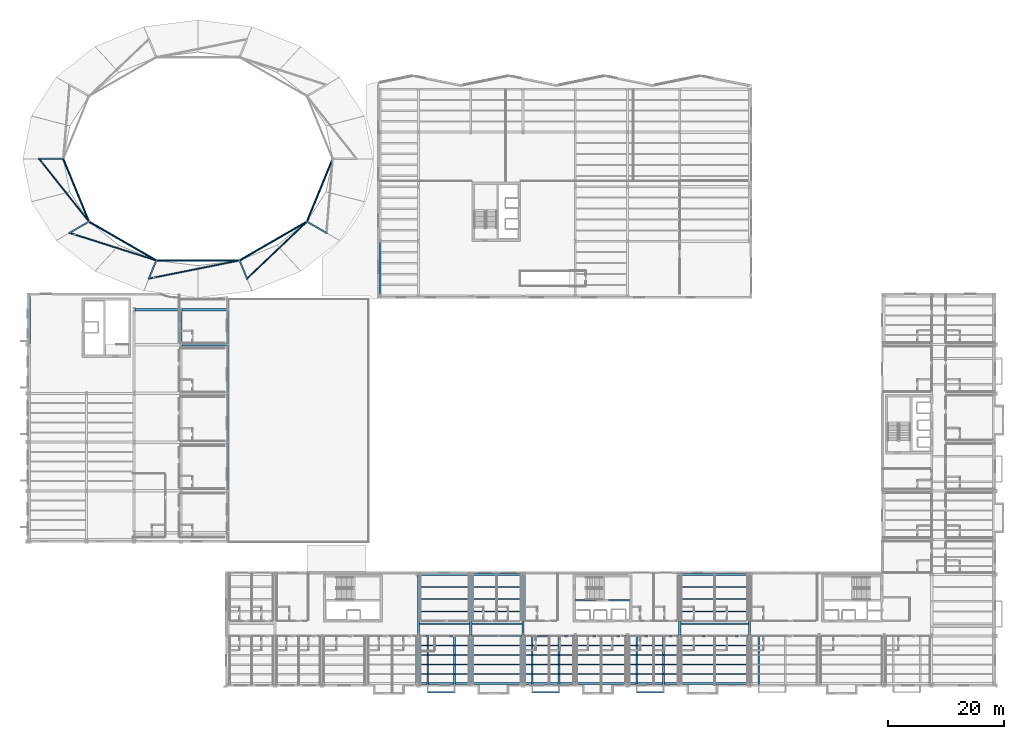
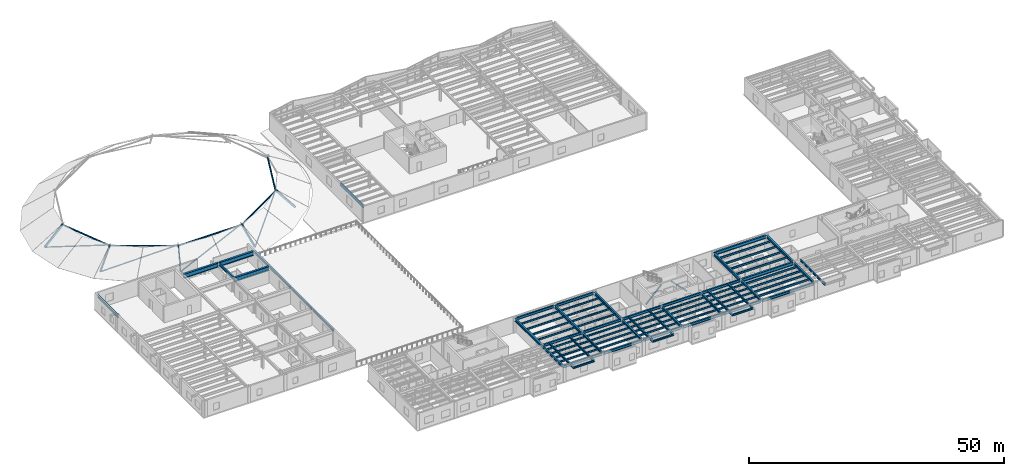
# One storey, part 14 of 59: 83 beams, 16 members.
"""IFC4 building model written with IfcOpenShell, lengths in metres."""

from ifc_helpers import new_model, si_unit, direction, frame, origin, origin_2d, place, context, subcontext, project, spatial, hollow_rectangle, hollow_circle, i_section, extrude, material, material_profile, profile_set, type_object, element, save


model = new_model("IFC4")

# Units and contexts
model_context = context("Model", 3, precision=1e-05, world=origin(), true_north=direction((0.0, 1.0)))
body_context = subcontext(model_context, "Body", "Model", "MODEL_VIEW")
ifc_project = project(units=[si_unit("LENGTHUNIT", "METRE"), si_unit("AREAUNIT", "SQUARE_METRE"), si_unit("VOLUMEUNIT", "CUBIC_METRE"), si_unit("PLANEANGLEUNIT", "RADIAN"), si_unit("MASSUNIT", "GRAM", prefix="KILO")], contexts=[model_context])

# Site, building, storey
site_placement = place(None, origin())
site = spatial("IfcSite", under=ifc_project, at=site_placement, CompositionType="ELEMENT")
building_placement = place(site_placement, origin())
building = spatial("IfcBuilding", under=site, at=building_placement, Name="Sollismere Congress Hotel", CompositionType="ELEMENT")
storey_placement = place(building_placement, frame((0.0, 0.0, 15.60009765625)))
storey = spatial("IfcBuildingStorey", under=building, at=storey_placement, Name="L03", CompositionType="ELEMENT", Elevation=15.60009765625)

# Beams
ifc_material_1 = material(Name="Steel ASTM A992 Grade 50", Category="steel")
ifc_material_profile_1 = material_profile(ifc_material_1, i_section(OverallWidth=0.281982421875, OverallDepth=0.471923828125, WebThickness=0.013671875, FlangeThickness=0.022216796875, at=origin_2d()), Name="W18X97")
ifc_profile_set_1 = profile_set([ifc_material_profile_1], Name="Steel ASTM A992 Grade 50")
beam_type_1 = type_object("IfcBeamType", Name="BM-CK18E", PredefinedType="BEAM", material=ifc_profile_set_1)
for number, where, z_axis, x_axis, name in (
    (1, (68.60009765625, 8.199951171875, 3.388916015625), (0.0, -1.0, 0.0), (1.0, 0.0, 0.0), "Beam BM-L03-3900"),
    (2, (73.199951171875, 8.199951171875, 3.388916015625), (0.0, -1.0, 0.0), (1.0, 0.0, 0.0), "Beam BM-L03-3901"),
    (3, (86.60009765625, 8.199951171875, 3.388916015625), (0.0, -1.0, 0.0), (1.0, 0.0, 0.0), "Beam BM-L03-3903"),
    (4, (91.199951171875, 8.199951171875, 3.388916015625), (0.0, -1.0, 0.0), (1.0, 0.0, 0.0), "Beam BM-L03-3904"),
    (5, (104.60009765625, 8.199951171875, 3.388916015625), (0.0, -1.0, 0.0), (1.0, 0.0, 0.0), "Beam BM-L03-3906"),
    (6, (109.199951171875, 8.199951171875, 3.388916015625), (0.0, -1.0, 0.0), (1.0, 0.0, 0.0), "Beam BM-L03-3907"),
    (7, (125.60009765625, 8.199951171875, 3.388916015625), (0.0, -1.0, 0.0), (1.0, 0.0, 0.0), "Beam BM-L03-3909"),
):
    element("IfcBeam", number, at=place(storey_placement, frame(where, z_axis=z_axis, x_axis=x_axis)), inside=storey, type_object=beam_type_1, Name=name, PredefinedType="BEAM", context=body_context, shape_type="SweptSolid", body=[
        extrude(i_section(OverallWidth=0.281982421875, OverallDepth=0.471923828125, WebThickness=0.013671875, FlangeThickness=0.022216796875, at=origin_2d()), origin(), (0.0, 0.0, 1.0), 9.68994140625),
    ])
ifc_material_profile_2 = material_profile(ifc_material_1, i_section(OverallWidth=0.31494140625, OverallDepth=0.551025390625, WebThickness=0.01513671875, FlangeThickness=0.0244140625, at=origin_2d()), Name="W21X122")
ifc_profile_set_2 = profile_set([ifc_material_profile_2], Name="Steel ASTM A992 Grade 50")
beam_type_2 = type_object("IfcBeamType", Name="BM-G21H", PredefinedType="BEAM", material=ifc_profile_set_2)
beam_1_placement = place(storey_placement, frame((60.39990234375, 66.93994140625, 3.349365234375), z_axis=(0.0, 1.0, 0.0), x_axis=(-1.0, 0.0, 0.0)))
element("IfcBeam", 8, at=beam_1_placement, inside=storey, type_object=beam_type_2, Name="Beam BM-L03-2423", PredefinedType="BEAM", context=body_context, shape_type="SweptSolid", body=[
    extrude(i_section(OverallWidth=0.31494140625, OverallDepth=0.551025390625, WebThickness=0.01513671875, FlangeThickness=0.0244140625, at=origin_2d()), origin(), (0.0, 0.0, 1.0), 9.1201171875),
])
for number, where, z_axis, x_axis, name in (
    (9, (67.0, 0.139892578125, 3.349365234375), (0.0, 1.0, 0.0), (-1.0, 0.0, 0.0), "Beam BM-L03-2427"),
    (10, (76.0, 0.139892578125, 3.349365234375), (0.0, 1.0, 0.0), (-1.0, 0.0, 0.0), "Beam BM-L03-2433"),
    (11, (85.0, 0.139892578125, 3.349365234375), (0.0, 1.0, 0.0), (-1.0, 0.0, 0.0), "Beam BM-L03-2436"),
    (12, (94.0, 0.139892578125, 3.349365234375), (0.0, 1.0, 0.0), (-1.0, 0.0, 0.0), "Beam BM-L03-2439"),
    (13, (103.0, 0.139892578125, 3.349365234375), (0.0, 1.0, 0.0), (-1.0, 0.0, 0.0), "Beam BM-L03-2444"),
    (14, (112.0, 0.139892578125, 3.349365234375), (0.0, 1.0, 0.0), (-1.0, 0.0, 0.0), "Beam BM-L03-2449"),
    (15, (124.0, 0.139892578125, 3.349365234375), (0.0, 1.0, 0.0), (-1.0, 0.0, 0.0), "Beam BM-L03-2454"),
):
    element("IfcBeam", number, at=place(storey_placement, frame(where, z_axis=z_axis, x_axis=x_axis)), inside=storey, type_object=beam_type_2, Name=name, PredefinedType="BEAM", context=body_context, shape_type="SweptSolid", body=[
        extrude(i_section(OverallWidth=0.31494140625, OverallDepth=0.551025390625, WebThickness=0.01513671875, FlangeThickness=0.0244140625, at=origin_2d()), origin(), (0.0, 0.0, 1.0), 7.920166015625),
    ])
beam_2_placement = place(storey_placement, frame((26.10009765625, 58.52001953125, 3.349365234375), z_axis=(0.0, 1.0, 0.0), x_axis=(-1.0, 0.0, 0.0)))
element("IfcBeam", 16, at=beam_2_placement, inside=storey, type_object=beam_type_2, Name="Beam BM-L03-4160", PredefinedType="BEAM", context=body_context, shape_type="SweptSolid", body=[
    extrude(i_section(OverallWidth=0.31494140625, OverallDepth=0.551025390625, WebThickness=0.01513671875, FlangeThickness=0.0244140625, at=origin_2d()), origin(), (0.0, 0.0, 1.0), 5.760009765625),
])
for number, where, z_axis, x_axis, name in (
    (17, (34.199951171875, 33.320068359375, 3.349365234375), (0.0, 1.0, 0.0), (-1.0, 0.0, 0.0), "Beam BM-L03-4162"),
    (18, (34.199951171875, 41.719970703125, 3.349365234375), (0.0, 1.0, 0.0), (-1.0, 0.0, 0.0), "Beam BM-L03-4163"),
    (19, (34.199951171875, 50.1201171875, 3.349365234375), (0.0, 1.0, 0.0), (-1.0, 0.0, 0.0), "Beam BM-L03-4164"),
):
    element("IfcBeam", number, at=place(storey_placement, frame(where, z_axis=z_axis, x_axis=x_axis)), inside=storey, type_object=beam_type_2, Name=name, PredefinedType="BEAM", context=body_context, shape_type="SweptSolid", body=[
        extrude(i_section(OverallWidth=0.31494140625, OverallDepth=0.551025390625, WebThickness=0.01513671875, FlangeThickness=0.0244140625, at=origin_2d()), origin(), (0.0, 0.0, 1.0), 8.159912109375),
    ])
beam_3_placement = place(storey_placement, frame((34.199951171875, 58.52001953125, 3.349365234375), z_axis=(0.0, 1.0, 0.0), x_axis=(-1.0, 0.0, 0.0)))
element("IfcBeam", 20, at=beam_3_placement, inside=storey, type_object=beam_type_2, Name="Beam BM-L03-4165", PredefinedType="BEAM", context=body_context, shape_type="SweptSolid", body=[
    extrude(i_section(OverallWidth=0.31494140625, OverallDepth=0.551025390625, WebThickness=0.01513671875, FlangeThickness=0.0244140625, at=origin_2d()), origin(), (0.0, 0.0, 1.0), 5.760009765625),
])
ifc_material_profile_3 = material_profile(ifc_material_1, i_section(OverallWidth=0.324951171875, OverallDepth=0.612060546875, WebThickness=0.0126953125, FlangeThickness=0.01904296875, at=origin_2d()), Name="W24X104")
ifc_profile_set_3 = profile_set([ifc_material_profile_3], Name="Steel ASTM A992 Grade 50")
beam_type_3 = type_object("IfcBeamType", Name="BM-G24", PredefinedType="BEAM", material=ifc_profile_set_3)
for number, where, z_axis, x_axis, name in (
    (21, (67.139892578125, 8.199951171875, 3.31884765625), (1.0, 0.0, 0.0), (0.0, 1.0, 0.0), "Beam BM-L03-2347"),
    (22, (76.139892578125, 8.199951171875, 3.31884765625), (1.0, 0.0, 0.0), (0.0, 1.0, 0.0), "Beam BM-L03-2348"),
    (23, (85.139892578125, 8.199951171875, 3.31884765625), (1.0, 0.0, 0.0), (0.0, 1.0, 0.0), "Beam BM-L03-2349"),
    (24, (94.139892578125, 8.199951171875, 3.31884765625), (1.0, 0.0, 0.0), (0.0, 1.0, 0.0), "Beam BM-L03-2350"),
    (25, (103.139892578125, 8.199951171875, 3.31884765625), (1.0, 0.0, 0.0), (0.0, 1.0, 0.0), "Beam BM-L03-2351"),
    (26, (67.139892578125, 18.800048828125, 3.31884765625), (1.0, 0.0, 0.0), (0.0, 1.0, 0.0), "Beam BM-L03-2358"),
    (27, (76.139892578125, 18.800048828125, 3.31884765625), (1.0, 0.0, 0.0), (0.0, 1.0, 0.0), "Beam BM-L03-2359"),
):
    element("IfcBeam", number, at=place(storey_placement, frame(where, z_axis=z_axis, x_axis=x_axis)), inside=storey, type_object=beam_type_3, Name=name, PredefinedType="BEAM", context=body_context, shape_type="SweptSolid", body=[
        extrude(i_section(OverallWidth=0.324951171875, OverallDepth=0.612060546875, WebThickness=0.0126953125, FlangeThickness=0.01904296875, at=origin_2d()), origin(), (0.0, 0.0, 1.0), 8.72021484375),
    ])
ifc_material_profile_4 = material_profile(ifc_material_1, i_section(OverallWidth=0.35595703125, OverallDepth=0.696044921875, WebThickness=0.015380859375, FlangeThickness=0.025146484375, at=origin_2d()), Name="W27X146")
ifc_profile_set_4 = profile_set([ifc_material_profile_4], Name="Steel ASTM A992 Grade 50")
beam_type_4 = type_object("IfcBeamType", Name="BM-G27", PredefinedType="BEAM", material=ifc_profile_set_4)
for number, where, z_axis, x_axis, name in (
    (28, (67.0, 8.340087890625, 3.27685546875), (0.0, 1.0, 0.0), (-1.0, 0.0, 0.0), "Beam BM-L03-2428"),
    (29, (76.0, 8.340087890625, 3.27685546875), (0.0, 1.0, 0.0), (-1.0, 0.0, 0.0), "Beam BM-L03-2434"),
    (30, (85.0, 8.340087890625, 3.27685546875), (0.0, 1.0, 0.0), (-1.0, 0.0, 0.0), "Beam BM-L03-2437"),
    (31, (112.0, 8.340087890625, 3.27685546875), (0.0, 1.0, 0.0), (-1.0, 0.0, 0.0), "Beam BM-L03-2450"),
    (32, (124.0, 8.340087890625, 3.27685546875), (0.0, 1.0, 0.0), (-1.0, 0.0, 0.0), "Beam BM-L03-2455"),
):
    element("IfcBeam", number, at=place(storey_placement, frame(where, z_axis=z_axis, x_axis=x_axis)), inside=storey, type_object=beam_type_4, Name=name, PredefinedType="BEAM", context=body_context, shape_type="SweptSolid", body=[
        extrude(i_section(OverallWidth=0.35595703125, OverallDepth=0.696044921875, WebThickness=0.015380859375, FlangeThickness=0.025146484375, at=origin_2d()), origin(), (0.0, 0.0, 1.0), 10.31982421875),
    ])
ifc_material_profile_5 = material_profile(ifc_material_1, i_section(OverallWidth=0.384033203125, OverallDepth=0.787109375, WebThickness=0.019775390625, FlangeThickness=0.033447265625, at=origin_2d()), Name="W30X211")
ifc_profile_set_5 = profile_set([ifc_material_profile_5], Name="Steel ASTM A992 Grade 50")
beam_type_5 = type_object("IfcBeamType", Name="BM-G30", PredefinedType="BEAM", material=ifc_profile_set_5)
for number, where, z_axis, x_axis, name in (
    (33, (112.139892578125, 8.199951171875, 3.2314453125), (1.0, 0.0, 0.0), (0.0, 1.0, 0.0), "Beam BM-L03-2352"),
    (34, (112.139892578125, 18.800048828125, 3.2314453125), (1.0, 0.0, 0.0), (0.0, 1.0, 0.0), "Beam BM-L03-2360"),
):
    element("IfcBeam", number, at=place(storey_placement, frame(where, z_axis=z_axis, x_axis=x_axis)), inside=storey, type_object=beam_type_5, Name=name, PredefinedType="BEAM", context=body_context, shape_type="SweptSolid", body=[
        extrude(i_section(OverallWidth=0.384033203125, OverallDepth=0.787109375, WebThickness=0.019775390625, FlangeThickness=0.033447265625, at=origin_2d()), origin(), (0.0, 0.0, 1.0), 11.72021484375),
    ])
ifc_material_profile_6 = material_profile(ifc_material_1, i_section(OverallWidth=0.180908203125, OverallDepth=0.4169921875, WebThickness=0.010986328125, FlangeThickness=0.018310546875, at=origin_2d()), Name="W16X57")
ifc_profile_set_6 = profile_set([ifc_material_profile_6], Name="Steel ASTM A992 Grade 50")
beam_type_6 = type_object("IfcBeamType", Name="BM-J16", PredefinedType="JOIST", material=ifc_profile_set_6)
for number, where, z_axis, x_axis, name in (
    (35, (67.157470703125, 1.639892578125, 3.41650390625), (1.0, 0.0, 0.0), (0.0, 1.0, 0.0), "Beam BM-L03-2531"),
    (36, (67.157470703125, 3.280029296875, 3.41650390625), (1.0, 0.0, 0.0), (0.0, 1.0, 0.0), "Beam BM-L03-2532"),
    (37, (67.157470703125, 4.919921875, 3.41650390625), (1.0, 0.0, 0.0), (0.0, 1.0, 0.0), "Beam BM-L03-2533"),
    (38, (67.157470703125, 6.56005859375, 3.41650390625), (1.0, 0.0, 0.0), (0.0, 1.0, 0.0), "Beam BM-L03-2534"),
):
    element("IfcBeam", number, at=place(storey_placement, frame(where, z_axis=z_axis, x_axis=x_axis)), inside=storey, type_object=beam_type_6, Name=name, PredefinedType="JOIST", context=body_context, shape_type="SweptSolid", body=[
        extrude(i_section(OverallWidth=0.180908203125, OverallDepth=0.4169921875, WebThickness=0.010986328125, FlangeThickness=0.018310546875, at=origin_2d()), origin(), (0.0, 0.0, 1.0), 8.68505859375),
    ])
for number, where, z_axis, x_axis, name in (
    (39, (67.177978515625, 10.320068359375, 3.41650390625), (1.0, 0.0, 0.0), (0.0, 1.0, 0.0), "Beam BM-L03-2535"),
    (40, (67.177978515625, 12.43994140625, 3.41650390625), (1.0, 0.0, 0.0), (0.0, 1.0, 0.0), "Beam BM-L03-2536"),
    (41, (67.177978515625, 14.56005859375, 3.41650390625), (1.0, 0.0, 0.0), (0.0, 1.0, 0.0), "Beam BM-L03-2537"),
    (42, (67.177978515625, 16.679931640625, 3.41650390625), (1.0, 0.0, 0.0), (0.0, 1.0, 0.0), "Beam BM-L03-2538"),
):
    element("IfcBeam", number, at=place(storey_placement, frame(where, z_axis=z_axis, x_axis=x_axis)), inside=storey, type_object=beam_type_6, Name=name, PredefinedType="JOIST", context=body_context, shape_type="SweptSolid", body=[
        extrude(i_section(OverallWidth=0.180908203125, OverallDepth=0.4169921875, WebThickness=0.010986328125, FlangeThickness=0.018310546875, at=origin_2d()), origin(), (0.0, 0.0, 1.0), 8.64404296875),
    ])
for number, where, z_axis, x_axis, name in (
    (43, (76.157470703125, 1.639892578125, 3.41650390625), (1.0, 0.0, 0.0), (0.0, 1.0, 0.0), "Beam BM-L03-2542"),
    (44, (76.157470703125, 3.280029296875, 3.41650390625), (1.0, 0.0, 0.0), (0.0, 1.0, 0.0), "Beam BM-L03-2543"),
    (45, (76.157470703125, 4.919921875, 3.41650390625), (1.0, 0.0, 0.0), (0.0, 1.0, 0.0), "Beam BM-L03-2544"),
    (46, (76.157470703125, 6.56005859375, 3.41650390625), (1.0, 0.0, 0.0), (0.0, 1.0, 0.0), "Beam BM-L03-2545"),
):
    element("IfcBeam", number, at=place(storey_placement, frame(where, z_axis=z_axis, x_axis=x_axis)), inside=storey, type_object=beam_type_6, Name=name, PredefinedType="JOIST", context=body_context, shape_type="SweptSolid", body=[
        extrude(i_section(OverallWidth=0.180908203125, OverallDepth=0.4169921875, WebThickness=0.010986328125, FlangeThickness=0.018310546875, at=origin_2d()), origin(), (0.0, 0.0, 1.0), 8.68505859375),
    ])
for number, where, z_axis, x_axis, name in (
    (47, (76.177978515625, 10.320068359375, 3.41650390625), (1.0, 0.0, 0.0), (0.0, 1.0, 0.0), "Beam BM-L03-2546"),
    (48, (76.177978515625, 12.43994140625, 3.41650390625), (1.0, 0.0, 0.0), (0.0, 1.0, 0.0), "Beam BM-L03-2547"),
    (49, (76.177978515625, 14.56005859375, 3.41650390625), (1.0, 0.0, 0.0), (0.0, 1.0, 0.0), "Beam BM-L03-2548"),
    (50, (76.177978515625, 16.679931640625, 3.41650390625), (1.0, 0.0, 0.0), (0.0, 1.0, 0.0), "Beam BM-L03-2549"),
):
    element("IfcBeam", number, at=place(storey_placement, frame(where, z_axis=z_axis, x_axis=x_axis)), inside=storey, type_object=beam_type_6, Name=name, PredefinedType="JOIST", context=body_context, shape_type="SweptSolid", body=[
        extrude(i_section(OverallWidth=0.180908203125, OverallDepth=0.4169921875, WebThickness=0.010986328125, FlangeThickness=0.018310546875, at=origin_2d()), origin(), (0.0, 0.0, 1.0), 8.64404296875),
    ])
for number, where, z_axis, x_axis, name in (
    (51, (85.157470703125, 1.639892578125, 3.41650390625), (1.0, 0.0, 0.0), (0.0, 1.0, 0.0), "Beam BM-L03-2553"),
    (52, (85.157470703125, 3.280029296875, 3.41650390625), (1.0, 0.0, 0.0), (0.0, 1.0, 0.0), "Beam BM-L03-2554"),
    (53, (85.157470703125, 4.919921875, 3.41650390625), (1.0, 0.0, 0.0), (0.0, 1.0, 0.0), "Beam BM-L03-2555"),
    (54, (85.157470703125, 6.56005859375, 3.41650390625), (1.0, 0.0, 0.0), (0.0, 1.0, 0.0), "Beam BM-L03-2556"),
    (55, (94.157470703125, 1.639892578125, 3.41650390625), (1.0, 0.0, 0.0), (0.0, 1.0, 0.0), "Beam BM-L03-2560"),
    (56, (94.157470703125, 3.280029296875, 3.41650390625), (1.0, 0.0, 0.0), (0.0, 1.0, 0.0), "Beam BM-L03-2561"),
    (57, (94.157470703125, 4.919921875, 3.41650390625), (1.0, 0.0, 0.0), (0.0, 1.0, 0.0), "Beam BM-L03-2562"),
    (58, (94.157470703125, 6.56005859375, 3.41650390625), (1.0, 0.0, 0.0), (0.0, 1.0, 0.0), "Beam BM-L03-2563"),
    (59, (103.157470703125, 1.639892578125, 3.41650390625), (1.0, 0.0, 0.0), (0.0, 1.0, 0.0), "Beam BM-L03-2579"),
    (60, (103.157470703125, 3.280029296875, 3.41650390625), (1.0, 0.0, 0.0), (0.0, 1.0, 0.0), "Beam BM-L03-2580"),
    (61, (103.157470703125, 4.919921875, 3.41650390625), (1.0, 0.0, 0.0), (0.0, 1.0, 0.0), "Beam BM-L03-2581"),
    (62, (103.157470703125, 6.56005859375, 3.41650390625), (1.0, 0.0, 0.0), (0.0, 1.0, 0.0), "Beam BM-L03-2582"),
):
    element("IfcBeam", number, at=place(storey_placement, frame(where, z_axis=z_axis, x_axis=x_axis)), inside=storey, type_object=beam_type_6, Name=name, PredefinedType="JOIST", context=body_context, shape_type="SweptSolid", body=[
        extrude(i_section(OverallWidth=0.180908203125, OverallDepth=0.4169921875, WebThickness=0.010986328125, FlangeThickness=0.018310546875, at=origin_2d()), origin(), (0.0, 0.0, 1.0), 8.68505859375),
    ])
ifc_material_profile_7 = material_profile(ifc_material_1, i_section(OverallWidth=0.193115234375, OverallDepth=0.467041015625, WebThickness=0.011474609375, FlangeThickness=0.01904296875, at=origin_2d()), Name="W18X65")
ifc_profile_set_7 = profile_set([ifc_material_profile_7], Name="Steel ASTM A992 Grade 50")
beam_type_7 = type_object("IfcBeamType", Name="BM-J18", PredefinedType="JOIST", material=ifc_profile_set_7)
for number, where, z_axis, x_axis, name in (
    (63, (112.157470703125, 1.639892578125, 3.391357421875), (1.0, 0.0, 0.0), (0.0, 1.0, 0.0), "Beam BM-L03-2594"),
    (64, (112.157470703125, 3.280029296875, 3.391357421875), (1.0, 0.0, 0.0), (0.0, 1.0, 0.0), "Beam BM-L03-2595"),
    (65, (112.157470703125, 4.919921875, 3.391357421875), (1.0, 0.0, 0.0), (0.0, 1.0, 0.0), "Beam BM-L03-2596"),
    (66, (112.157470703125, 6.56005859375, 3.391357421875), (1.0, 0.0, 0.0), (0.0, 1.0, 0.0), "Beam BM-L03-2597"),
):
    element("IfcBeam", number, at=place(storey_placement, frame(where, z_axis=z_axis, x_axis=x_axis)), inside=storey, type_object=beam_type_7, Name=name, PredefinedType="JOIST", context=body_context, shape_type="SweptSolid", body=[
        extrude(i_section(OverallWidth=0.193115234375, OverallDepth=0.467041015625, WebThickness=0.011474609375, FlangeThickness=0.01904296875, at=origin_2d()), origin(), (0.0, 0.0, 1.0), 11.68505859375),
    ])
for number, where, z_axis, x_axis, name in (
    (67, (112.177978515625, 10.320068359375, 3.391357421875), (1.0, 0.0, 0.0), (0.0, 1.0, 0.0), "Beam BM-L03-2598"),
    (68, (112.177978515625, 12.43994140625, 3.391357421875), (1.0, 0.0, 0.0), (0.0, 1.0, 0.0), "Beam BM-L03-2599"),
    (69, (112.177978515625, 14.56005859375, 3.391357421875), (1.0, 0.0, 0.0), (0.0, 1.0, 0.0), "Beam BM-L03-2600"),
    (70, (112.177978515625, 16.679931640625, 3.391357421875), (1.0, 0.0, 0.0), (0.0, 1.0, 0.0), "Beam BM-L03-2601"),
):
    element("IfcBeam", number, at=place(storey_placement, frame(where, z_axis=z_axis, x_axis=x_axis)), inside=storey, type_object=beam_type_7, Name=name, PredefinedType="JOIST", context=body_context, shape_type="SweptSolid", body=[
        extrude(i_section(OverallWidth=0.193115234375, OverallDepth=0.467041015625, WebThickness=0.011474609375, FlangeThickness=0.01904296875, at=origin_2d()), origin(), (0.0, 0.0, 1.0), 11.64404296875),
    ])
ifc_material_profile_8 = material_profile(ifc_material_1, i_section(OverallWidth=0.261962890625, OverallDepth=0.4189453125, WebThickness=0.01171875, FlangeThickness=0.019287109375, at=origin_2d()), Name="W16X77")
ifc_profile_set_8 = profile_set([ifc_material_profile_8], Name="Steel ASTM A992 Grade 50")
beam_type_8 = type_object("IfcBeamType", Name="BM-LN16E", PredefinedType="LINTEL", material=ifc_profile_set_8)
for number, where, z_axis, x_axis, name in (
    (71, (68.60009765625, -1.489990234375, 3.415283203125), (1.0, 0.0, 0.0), (0.0, 1.0, 0.0), "Beam BM-L03-3902"),
    (72, (86.60009765625, -1.489990234375, 3.415283203125), (1.0, 0.0, 0.0), (0.0, 1.0, 0.0), "Beam BM-L03-3905"),
    (73, (104.60009765625, -1.489990234375, 3.415283203125), (1.0, 0.0, 0.0), (0.0, 1.0, 0.0), "Beam BM-L03-3908"),
):
    element("IfcBeam", number, at=place(storey_placement, frame(where, z_axis=z_axis, x_axis=x_axis)), inside=storey, type_object=beam_type_8, Name=name, PredefinedType="LINTEL", context=body_context, shape_type="SweptSolid", body=[
        extrude(i_section(OverallWidth=0.261962890625, OverallDepth=0.4189453125, WebThickness=0.01171875, FlangeThickness=0.019287109375, at=origin_2d()), origin(), (0.0, 0.0, 1.0), 4.599853515625),
    ])
ifc_material_profile_9 = material_profile(ifc_material_1, i_section(OverallWidth=0.330078125, OverallDepth=0.635009765625, WebThickness=0.017822265625, FlangeThickness=0.031005859375, at=origin_2d()), Name="W24X162")
ifc_profile_set_9 = profile_set([ifc_material_profile_9], Name="Steel ASTM A992 Grade 50")
beam_type_9 = type_object("IfcBeamType", Name="BM-SP24E", PredefinedType="SPANDREL", material=ifc_profile_set_9)
for number, where, z_axis, x_axis, name in (
    (74, (67.139892578125, 0.0, 3.307373046875), (1.0, 0.0, 0.0), (0.0, 1.0, 0.0), "Beam BM-L03-2333"),
    (75, (76.139892578125, 0.0, 3.307373046875), (1.0, 0.0, 0.0), (0.0, 1.0, 0.0), "Beam BM-L03-2334"),
    (76, (85.139892578125, 0.0, 3.307373046875), (1.0, 0.0, 0.0), (0.0, 1.0, 0.0), "Beam BM-L03-2335"),
    (77, (94.139892578125, 0.0, 3.307373046875), (1.0, 0.0, 0.0), (0.0, 1.0, 0.0), "Beam BM-L03-2336"),
    (78, (103.139892578125, 0.0, 3.307373046875), (1.0, 0.0, 0.0), (0.0, 1.0, 0.0), "Beam BM-L03-2337"),
):
    element("IfcBeam", number, at=place(storey_placement, frame(where, z_axis=z_axis, x_axis=x_axis)), inside=storey, type_object=beam_type_9, Name=name, PredefinedType="SPANDREL", context=body_context, shape_type="SweptSolid", body=[
        extrude(i_section(OverallWidth=0.330078125, OverallDepth=0.635009765625, WebThickness=0.017822265625, FlangeThickness=0.031005859375, at=origin_2d()), origin(), (0.0, 0.0, 1.0), 8.72021484375),
    ])
beam_4_placement = place(storey_placement, frame((112.139892578125, 0.0, 3.307373046875), z_axis=(1.0, 0.0, 0.0), x_axis=(0.0, 1.0, 0.0)))
element("IfcBeam", 79, at=beam_4_placement, inside=storey, type_object=beam_type_9, Name="Beam BM-L03-2338", PredefinedType="SPANDREL", context=body_context, shape_type="SweptSolid", body=[
    extrude(i_section(OverallWidth=0.330078125, OverallDepth=0.635009765625, WebThickness=0.017822265625, FlangeThickness=0.031005859375, at=origin_2d()), origin(), (0.0, 0.0, 1.0), 11.72021484375),
])
beam_5_placement = place(storey_placement, frame((0.0, 58.5400390625, 3.307373046875), z_axis=(0.0, 1.0, 0.0), x_axis=(-1.0, 0.0, 0.0)))
element("IfcBeam", 80, at=beam_5_placement, inside=storey, type_object=beam_type_9, Name="Beam BM-L03-2409", PredefinedType="SPANDREL", context=body_context, shape_type="SweptSolid", body=[
    extrude(i_section(OverallWidth=0.330078125, OverallDepth=0.635009765625, WebThickness=0.017822265625, FlangeThickness=0.031005859375, at=origin_2d()), origin(), (0.0, 0.0, 1.0), 8.119873046875),
])
ifc_material_profile_10 = material_profile(ifc_material_1, i_section(OverallWidth=0.427001953125, OverallDepth=1.041015625, WebThickness=0.031005859375, FlangeThickness=0.055908203125, at=origin_2d()), Name="W40X397")
ifc_profile_set_10 = profile_set([ifc_material_profile_10], Name="Steel ASTM A992 Grade 50")
beam_type_10 = type_object("IfcBeamType", Name="BM-TG40", PredefinedType="BEAM", material=ifc_profile_set_10)
beam_6_placement = place(storey_placement, frame((26.219970703125, 58.39990234375, 3.1044921875), z_axis=(1.0, 0.0, 0.0), x_axis=(0.0, 1.0, 0.0)))
element("IfcBeam", 81, at=beam_6_placement, inside=storey, type_object=beam_type_10, Name="Transfer truss chord BM-L03-4153", PredefinedType="BEAM", context=body_context, shape_type="SweptSolid", body=[
    extrude(i_section(OverallWidth=0.427001953125, OverallDepth=1.041015625, WebThickness=0.031005859375, FlangeThickness=0.055908203125, at=origin_2d()), origin(), (0.0, 0.0, 1.0), 7.860107421875),
])
beam_7_placement = place(storey_placement, frame((18.1201171875, 64.39990234375, 3.1044921875), z_axis=(1.0, 0.0, 0.0), x_axis=(0.0, 1.0, 0.0)))
element("IfcBeam", 82, at=beam_7_placement, inside=storey, type_object=beam_type_10, Name="Transfer truss chord BM-L03-4154", PredefinedType="BEAM", context=body_context, shape_type="SweptSolid", body=[
    extrude(i_section(OverallWidth=0.427001953125, OverallDepth=1.041015625, WebThickness=0.031005859375, FlangeThickness=0.055908203125, at=origin_2d()), origin(), (0.0, 0.0, 1.0), 7.85986328125),
])
beam_8_placement = place(storey_placement, frame((26.219970703125, 64.39990234375, 3.1044921875), z_axis=(1.0, 0.0, 0.0), x_axis=(0.0, 1.0, 0.0)))
element("IfcBeam", 83, at=beam_8_placement, inside=storey, type_object=beam_type_10, Name="Transfer truss chord BM-L03-4155", PredefinedType="BEAM", context=body_context, shape_type="SweptSolid", body=[
    extrude(i_section(OverallWidth=0.427001953125, OverallDepth=1.041015625, WebThickness=0.031005859375, FlangeThickness=0.055908203125, at=origin_2d()), origin(), (0.0, 0.0, 1.0), 7.860107421875),
])

# Members
ifc_material_2 = material(Name="Steel ASTM A500 Grade C", Category="steel")
ifc_material_profile_11 = material_profile(ifc_material_2, hollow_rectangle(XDim=0.25, YDim=0.449951171875, WallThickness=0.01611328125, at=origin_2d()), Name="HSS450X250X16")
ifc_profile_set_11 = profile_set([ifc_material_profile_11], Name="Steel ASTM A500 Grade C")
member_type_1 = type_object("IfcMemberType", Name="MB-AR450", PredefinedType="COLLAR", material=ifc_profile_set_11)
member_1_placement = place(storey_placement, frame((1.638916015625, 90.39990234375, 0.005859375), z_axis=(0.711128730014, 0.0, 0.703061824699), x_axis=(0.0, 1.0, 0.0)))
element("IfcMember", 84, at=member_1_placement, inside=storey, type_object=member_type_1, Name="DR-061 arch rib", PredefinedType="COLLAR", context=body_context, shape_type="SweptSolid", body=[
    extrude(hollow_rectangle(XDim=0.25, YDim=0.449951171875, WallThickness=0.01611328125, at=origin_2d()), origin(), (0.0, 0.0, 1.0), 5.901611328125),
])
member_2_placement = place(storey_placement, frame((6.864013671875, 77.644775390625, 0.00537109375), z_axis=(0.594905948832, 0.342780770978, 0.727040752016), x_axis=(-0.499247906038, 0.86645919022, 0.0)))
element("IfcMember", 85, at=member_2_placement, inside=storey, type_object=member_type_1, Name="DR-071 arch rib", PredefinedType="COLLAR", context=body_context, shape_type="SweptSolid", body=[
    extrude(hollow_rectangle(XDim=0.25, YDim=0.449951171875, WallThickness=0.01611328125, at=origin_2d()), origin(), (0.0, 0.0, 1.0), 5.709228515625),
])
for number, where, z_axis, x_axis, name in (
    (86, (20.54443359375, 69.7607421875, 0.00439453125), (0.241198236619, 0.588643412211, 0.77157134726), (-0.925332199791, 0.379157381611, 0.0), "DR-081 arch rib"),
    (87, (37.45556640625, 69.7607421875, 0.00439453125), (-0.241198236619, 0.588643412211, 0.77157134726), (-0.925332199791, -0.379157381611, 0.0), "DR-091 arch rib"),
):
    element("IfcMember", number, at=place(storey_placement, frame(where, z_axis=z_axis, x_axis=x_axis)), inside=storey, type_object=member_type_1, Name=name, PredefinedType="COLLAR", context=body_context, shape_type="SweptSolid", body=[
        extrude(hollow_rectangle(XDim=0.25, YDim=0.449951171875, WallThickness=0.01611328125, at=origin_2d()), origin(), (0.0, 0.0, 1.0), 5.3837890625),
    ])
member_3_placement = place(storey_placement, frame((51.135986328125, 77.644775390625, 0.00537109375), z_axis=(-0.594905948832, 0.342780770978, 0.727040752016), x_axis=(-0.499247906038, -0.86645919022, 0.0)))
element("IfcMember", 88, at=member_3_placement, inside=storey, type_object=member_type_1, Name="DR-101 arch rib", PredefinedType="COLLAR", context=body_context, shape_type="SweptSolid", body=[
    extrude(hollow_rectangle(XDim=0.25, YDim=0.449951171875, WallThickness=0.01611328125, at=origin_2d()), origin(), (0.0, 0.0, 1.0), 5.709228515625),
])
ifc_material_profile_12 = material_profile(ifc_material_2, hollow_rectangle(XDim=0.25, YDim=0.25, WallThickness=0.010009765625, at=origin_2d()), Name="HSS250X250X10")
ifc_profile_set_12 = profile_set([ifc_material_profile_12], Name="Steel ASTM A500 Grade C")
member_type_2 = type_object("IfcMemberType", Name="MB-BR250", PredefinedType="BRACE", material=ifc_profile_set_12)
for number, where, z_axis, x_axis, name in (
    (89, (94.050048828125, 14.35009765625, 0.02001953125), (0.703638434245, 0.0, 0.71055819878), (0.0, 1.0, 0.0), "BF-007 diagonal brace"),
    (90, (103.35009765625, 14.35009765625, 0.02001953125), (-0.703638434245, 0.0, 0.71055819878), (0.0, -1.0, 0.0), "BF-008 diagonal brace"),
):
    element("IfcMember", number, at=place(storey_placement, frame(where, z_axis=z_axis, x_axis=x_axis)), inside=storey, type_object=member_type_2, Name=name, PredefinedType="BRACE", context=body_context, shape_type="SweptSolid", body=[
        extrude(hollow_rectangle(XDim=0.25, YDim=0.25, WallThickness=0.010009765625, at=origin_2d()), origin(), (0.0, 0.0, 1.0), 5.045166015625),
    ])
ifc_material_profile_13 = material_profile(ifc_material_2, hollow_circle(Radius=0.136474609375, WallThickness=0.010009765625, at=origin_2d()), Name="CHS273X10")
ifc_profile_set_13 = profile_set([ifc_material_profile_13], Name="Steel ASTM A500 Grade C")
member_type_3 = type_object("IfcMemberType", Name="MB-BR273", PredefinedType="BRACE", material=ifc_profile_set_13)
member_4_placement = place(storey_placement, frame((1.653076171875, 90.39990234375, 0.02001953125), z_axis=(0.595679430573, -0.751067430266, 0.284716931679), x_axis=(0.78349500674, 0.621398080471, 0.0)))
element("IfcMember", 91, at=member_4_placement, inside=storey, type_object=member_type_3, Name="DB-106 diagonal brace", PredefinedType="BRACE", context=body_context, shape_type="SweptSolid", body=[
    extrude(hollow_circle(Radius=0.136474609375, WallThickness=0.010009765625, at=origin_2d()), origin(), (0.0, 0.0, 1.0), 14.399658203125),
])
member_5_placement = place(storey_placement, frame((6.875732421875, 77.651611328125, 0.02001953125), z_axis=(0.922108374663, -0.29293830761, 0.252791007178), x_axis=(0.302772069628, 0.953062995742, 0.0)))
element("IfcMember", 92, at=member_5_placement, inside=storey, type_object=member_type_3, Name="DB-107 diagonal brace", PredefinedType="BRACE", context=body_context, shape_type="SweptSolid", body=[
    extrude(hollow_circle(Radius=0.136474609375, WallThickness=0.010009765625, at=origin_2d()), origin(), (0.0, 0.0, 1.0), 16.21826171875),
])
member_6_placement = place(storey_placement, frame((20.54931640625, 69.7724609375, 0.02001953125), z_axis=(0.949585126259, 0.19017231002, 0.249244017963), x_axis=(-0.196369593893, 0.980529949871, 0.0)))
element("IfcMember", 93, at=member_6_placement, inside=storey, type_object=member_type_3, Name="DB-108 diagonal brace", PredefinedType="BRACE", context=body_context, shape_type="SweptSolid", body=[
    extrude(hollow_circle(Radius=0.136474609375, WallThickness=0.010009765625, at=origin_2d()), origin(), (0.0, 0.0, 1.0), 16.44921875),
])
member_7_placement = place(storey_placement, frame((37.45068359375, 69.7724609375, 0.02001953125), z_axis=(0.696372483471, 0.662200555618, 0.27668716704), x_axis=(-0.689103108714, 0.724663304964, 0.0)))
element("IfcMember", 94, at=member_7_placement, inside=storey, type_object=member_type_3, Name="DB-109 diagonal brace", PredefinedType="BRACE", context=body_context, shape_type="SweptSolid", body=[
    extrude(hollow_circle(Radius=0.136474609375, WallThickness=0.010009765625, at=origin_2d()), origin(), (0.0, 0.0, 1.0), 14.817626953125),
])
ifc_material_profile_14 = material_profile(ifc_material_2, hollow_circle(Radius=0.177978515625, WallThickness=0.011962890625, at=origin_2d()), Name="CHS356X12")
ifc_profile_set_14 = profile_set([ifc_material_profile_14], Name="Steel ASTM A500 Grade C")
member_type_4 = type_object("IfcMemberType", Name="MB-PR356", PredefinedType="PURLIN", material=ifc_profile_set_14)
member_8_placement = place(storey_placement, frame((5.800048828125, 90.39990234375, 3.89990234375), z_axis=(0.379092355573, -0.925358841718, 0.0), x_axis=(0.925358841718, 0.379092355573, 0.0)))
element("IfcMember", 95, at=member_8_placement, inside=storey, type_object=member_type_4, Name="DP-106 dome purlin", PredefinedType="PURLIN", context=body_context, shape_type="SweptSolid", body=[
    extrude(hollow_circle(Radius=0.177978515625, WallThickness=0.011962890625, at=origin_2d()), origin(), (0.0, 0.0, 1.0), 11.6875),
])
member_9_placement = place(storey_placement, frame((10.230712890625, 79.584716796875, 3.89990234375), z_axis=(0.866453229645, -0.499258250646, 0.0), x_axis=(0.499258250646, 0.866453229645, 0.0)))
element("IfcMember", 96, at=member_9_placement, inside=storey, type_object=member_type_4, Name="DP-107 dome purlin", PredefinedType="PURLIN", context=body_context, shape_type="SweptSolid", body=[
    extrude(hollow_circle(Radius=0.177978515625, WallThickness=0.011962890625, at=origin_2d()), origin(), (0.0, 0.0, 1.0), 13.387939453125),
])
member_10_placement = place(storey_placement, frame((21.830810546875, 72.900634765625, 3.89990234375), z_axis=(1.0, 0.0, 0.0), x_axis=(0.0, 1.0, 0.0)))
element("IfcMember", 97, at=member_10_placement, inside=storey, type_object=member_type_4, Name="DP-108 dome purlin", PredefinedType="PURLIN", context=body_context, shape_type="SweptSolid", body=[
    extrude(hollow_circle(Radius=0.177978515625, WallThickness=0.011962890625, at=origin_2d()), origin(), (0.0, 0.0, 1.0), 14.33837890625),
])
member_11_placement = place(storey_placement, frame((36.169189453125, 72.900634765625, 3.89990234375), z_axis=(0.866453229645, 0.499258250646, 0.0), x_axis=(-0.499258250646, 0.866453229645, 0.0)))
element("IfcMember", 98, at=member_11_placement, inside=storey, type_object=member_type_4, Name="DP-109 dome purlin", PredefinedType="PURLIN", context=body_context, shape_type="SweptSolid", body=[
    extrude(hollow_circle(Radius=0.177978515625, WallThickness=0.011962890625, at=origin_2d()), origin(), (0.0, 0.0, 1.0), 13.387939453125),
])
member_12_placement = place(storey_placement, frame((47.769287109375, 79.584716796875, 3.89990234375), z_axis=(0.379092355573, 0.925358841718, 0.0), x_axis=(-0.925358841718, 0.379092355573, 0.0)))
element("IfcMember", 99, at=member_12_placement, inside=storey, type_object=member_type_4, Name="DP-110 dome purlin", PredefinedType="PURLIN", context=body_context, shape_type="SweptSolid", body=[
    extrude(hollow_circle(Radius=0.177978515625, WallThickness=0.011962890625, at=origin_2d()), origin(), (0.0, 0.0, 1.0), 11.6875),
])

save(model, "model.ifc")
